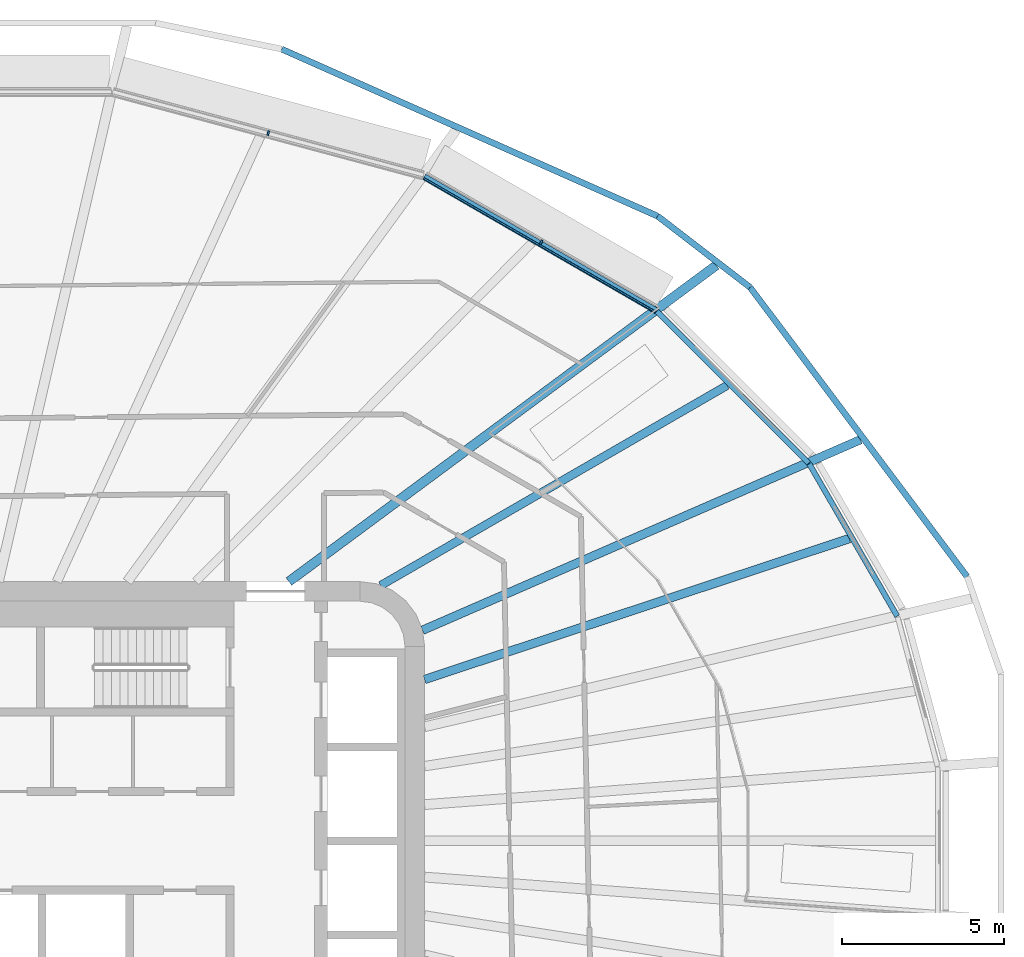
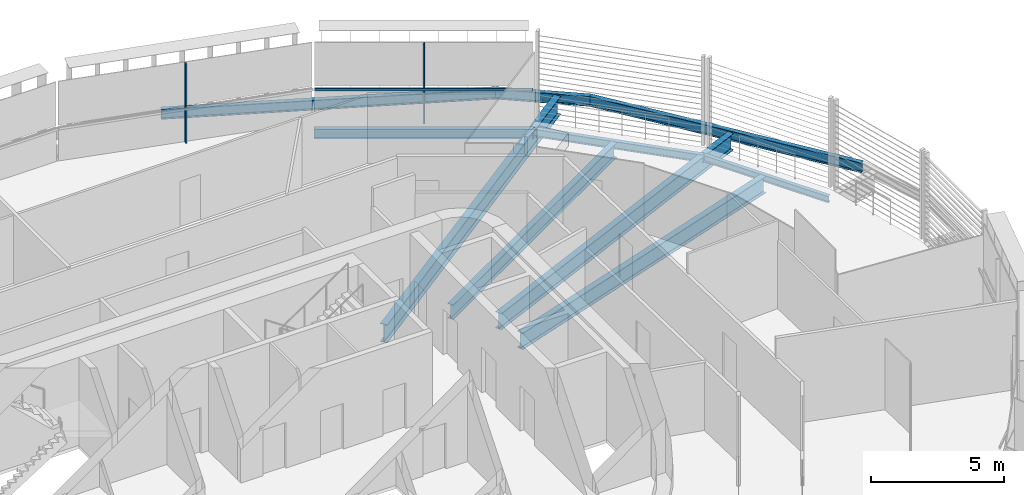
# One storey, part 9 of 24: 10 beams, 3 members, 2 elements without a shape of their own.
"""IFC4 building model written with IfcOpenShell, lengths in metres."""

from ifc_helpers import new_model, si_unit, direction, frame, origin, origin_2d, place, context, subcontext, project, spatial, rectangle, i_section, extrude, material, layer, layer_set, material_profile, profile_set, type_object, element, aggregate, save


model = new_model("IFC4")

# Units and contexts
model_context = context("Model", 3, precision=1e-05, world=origin(), true_north=direction((0.0, 1.0)))
body_context = subcontext(model_context, "Body", "Model", "MODEL_VIEW")
ifc_project = project(units=[si_unit("LENGTHUNIT", "METRE"), si_unit("AREAUNIT", "SQUARE_METRE"), si_unit("VOLUMEUNIT", "CUBIC_METRE"), si_unit("PLANEANGLEUNIT", "RADIAN"), si_unit("MASSUNIT", "GRAM", prefix="KILO")], contexts=[model_context])

# Site, building, storey
site_placement = place(None, origin())
site = spatial("IfcSite", under=ifc_project, at=site_placement, CompositionType="ELEMENT")
building_placement = place(site_placement, origin())
building = spatial("IfcBuilding", under=site, at=building_placement, Name="Sahrelin Media Tower", CompositionType="ELEMENT")
storey_placement = place(building_placement, frame((0.0, 0.0, 67.199951171875)))
storey = spatial("IfcBuildingStorey", under=building, at=storey_placement, Name="L11", CompositionType="ELEMENT", Elevation=67.199951171875)

# Beams
ifc_material_1 = material(Name="Steel S355", Category="steel")
ifc_material_profile_1 = material_profile(ifc_material_1, i_section(OverallWidth=0.1650390625, OverallDepth=0.303466796875, WebThickness=0.006103515625, FlangeThickness=0.01025390625, FilletRadius=0.0087890625, at=origin_2d()), Name="UB 305x165x40")
ifc_profile_set_1 = profile_set([ifc_material_profile_1], Name="Steel S355")
beam_type_1 = type_object("IfcBeamType", Name="Edge beam EB2", PredefinedType="BEAM", material=ifc_profile_set_1)
beam_1_placement = place(storey_placement, frame((26.8671875, 11.633056640625, -0.3515625), z_axis=(0.500016918453, -0.866015635691, 0.0), x_axis=(0.866015635691, 0.500016918453, 0.0)))
element("IfcBeam", 1, at=beam_1_placement, inside=storey, type_object=beam_type_1, Name="Edge beam L11-23", PredefinedType="BEAM", context=body_context, shape_type="SweptSolid", body=[
    extrude(i_section(OverallWidth=0.1650390625, OverallDepth=0.303466796875, WebThickness=0.006103515625, FlangeThickness=0.01025390625, FilletRadius=0.0087890625, at=origin_2d()), origin(), (0.0, 0.0, 1.0), 5.430419921875),
])
ifc_material_profile_2 = material_profile(ifc_material_1, i_section(OverallWidth=0.17138671875, OverallDepth=0.35498046875, WebThickness=0.00732421875, FlangeThickness=0.011474609375, FilletRadius=0.01025390625, at=origin_2d()), Name="UB 356x171x51")
ifc_profile_set_2 = profile_set([ifc_material_profile_2], Name="Steel S355")
beam_type_2 = type_object("IfcBeamType", Name="Edge beam EB3", PredefinedType="BEAM", material=ifc_profile_set_2)
beam_2_placement = place(storey_placement, frame((22.1708984375, 16.334716796875, -0.37744140625), z_axis=(0.707106781187, -0.707106781187, 0.0), x_axis=(0.707106781187, 0.707106781187, 0.0)))
element("IfcBeam", 2, at=beam_2_placement, inside=storey, type_object=beam_type_2, Name="Edge beam L11-22", PredefinedType="BEAM", context=body_context, shape_type="SweptSolid", body=[
    extrude(i_section(OverallWidth=0.17138671875, OverallDepth=0.35498046875, WebThickness=0.00732421875, FlangeThickness=0.011474609375, FilletRadius=0.01025390625, at=origin_2d()), origin(), (0.0, 0.0, 1.0), 6.61669921875),
])
ifc_material_profile_3 = material_profile(ifc_material_1, i_section(OverallWidth=0.1904296875, OverallDepth=0.45703125, WebThickness=0.009033203125, FlangeThickness=0.014404296875, FilletRadius=0.01025390625, at=origin_2d()), Name="UB 457x191x74")
ifc_profile_set_3 = profile_set([ifc_material_profile_3], Name="Steel S355")
beam_type_3 = type_object("IfcBeamType", Name="Edge beam EB5", PredefinedType="BEAM", material=ifc_profile_set_3)
beam_3_placement = place(storey_placement, frame((14.9853515625, 20.48779296875, -0.428466796875), z_axis=(0.866016484387, -0.500015448532, 0.0), x_axis=(0.500015448532, 0.866016484387, 0.0)))
element("IfcBeam", 3, at=beam_3_placement, inside=storey, type_object=beam_type_3, Name="Edge beam L11-21", PredefinedType="BEAM", context=body_context, shape_type="SweptSolid", body=[
    extrude(i_section(OverallWidth=0.1904296875, OverallDepth=0.45703125, WebThickness=0.009033203125, FlangeThickness=0.014404296875, FilletRadius=0.01025390625, at=origin_2d()), origin(), (0.0, 0.0, 1.0), 8.270751953125),
])

# Curtain wall, member
ifc_material_2 = material(Name="Champagne anodised aluminium 6063-T6", Category="aluminium")
ifc_layer = layer(ifc_material_2, 0.14990234375)
ifc_layer_set = layer_set([ifc_layer], Name="Tower ribbon curtain wall")
curtain_wall_type = type_object("IfcCurtainWallType", Name="Tower ribbon curtain wall", PredefinedType="NOTDEFINED", material=ifc_layer_set)
curtain_wall_1_placement = place(storey_placement, frame((18.6416015625, 18.5498046875, 0.0), z_axis=(0.0, 0.0, 1.0), x_axis=(1.0, 0.0, 0.0)))
curtain_wall_1 = element("IfcCurtainWall", 4, at=curtain_wall_1_placement, inside=storey, type_object=curtain_wall_type, Name="L11:CW:L11-04", PredefinedType="NOTDEFINED")
ifc_material_profile_4 = material_profile(ifc_material_2, rectangle(XDim=0.06005859375, YDim=0.14990234375, at=origin_2d()), Name="Mullion 60x150")
ifc_profile_set_4 = profile_set([ifc_material_profile_4], Name="Champagne anodised aluminium 6063-T6")
member_type_1 = type_object("IfcMemberType", Name="Mullion 60x150 CW1", PredefinedType="MULLION", material=ifc_profile_set_4)
member_1_placement = place(storey_placement, frame((18.593994140625, 18.4677734375, 0.0), z_axis=(0.0, 0.0, 1.0), x_axis=(-0.866024531118, 0.500001511499, 0.0)))
member_1 = element("IfcMember", 5, at=member_1_placement, type_object=member_type_1, Name="L11:CWM:L11-04", PredefinedType="MULLION", context=body_context, shape_type="SweptSolid", body=[
    extrude(rectangle(XDim=0.06005859375, YDim=0.14990234375, at=origin_2d()), origin(), (0.0, 0.0, 1.0), 3.648681640625),
])

curtain_wall_2_placement = place(storey_placement, frame((10.200439453125, 21.928955078125, 0.0), z_axis=(0.0, 0.0, 1.0), x_axis=(1.0, 0.0, 0.0)))
curtain_wall_2 = element("IfcCurtainWall", 6, at=curtain_wall_2_placement, inside=storey, type_object=curtain_wall_type, Name="L11:CW:L11-05", PredefinedType="NOTDEFINED")
member_2_placement = place(storey_placement, frame((10.17578125, 21.837158203125, 0.0), z_axis=(0.0, 0.0, 1.0), x_axis=(-0.965926729732, 0.258815673384, 0.0)))
member_2 = element("IfcMember", 7, at=member_2_placement, type_object=member_type_1, Name="L11:CWM:L11-05", PredefinedType="MULLION", context=body_context, shape_type="SweptSolid", body=[
    extrude(rectangle(XDim=0.06005859375, YDim=0.14990234375, at=origin_2d()), origin(), (0.0, 0.0, 1.0), 3.648681640625),
])
aggregate(curtain_wall_2, [member_2])

# Beams
ifc_material_profile_5 = material_profile(ifc_material_1, i_section(OverallWidth=0.291748046875, OverallDepth=0.8349609375, WebThickness=0.013916015625, FlangeThickness=0.018798828125, FilletRadius=0.017822265625, at=origin_2d()), Name="UB 838x292x176")
ifc_profile_set_5 = profile_set([ifc_material_profile_5], Name="Steel S355")
beam_type_4 = type_object("IfcBeamType", Name="Radial primary beam PB10", PredefinedType="BEAM", material=ifc_profile_set_5)
beam_4_placement = place(storey_placement, frame((10.81201171875, 8.0, -0.617431640625), z_axis=(0.803875478247, 0.594797625646, 0.0), x_axis=(-0.594797625646, 0.803875478247, 0.0)))
element("IfcBeam", 8, at=beam_4_placement, inside=storey, type_object=beam_type_4, Name="Radial beam L11-04", PredefinedType="BEAM", context=body_context, shape_type="SweptSolid", body=[
    extrude(i_section(OverallWidth=0.291748046875, OverallDepth=0.8349609375, WebThickness=0.013916015625, FlangeThickness=0.018798828125, FilletRadius=0.017822265625, at=origin_2d()), origin(), (0.0, 0.0, 1.0), 16.408447265625),
])
ifc_material_profile_6 = material_profile(ifc_material_1, i_section(OverallWidth=0.26513671875, OverallDepth=0.75390625, WebThickness=0.0126953125, FlangeThickness=0.017578125, FilletRadius=0.0166015625, at=origin_2d()), Name="UB 762x267x147")
ifc_profile_set_6 = profile_set([ifc_material_profile_6], Name="Steel S355")
beam_type_5 = type_object("IfcBeamType", Name="Radial primary beam PB9", PredefinedType="BEAM", material=ifc_profile_set_6)
beam_5_placement = place(storey_placement, frame((14.9345703125, 6.497314453125, -0.576904296875), z_axis=(0.916976546495, 0.398941114926, 0.0), x_axis=(-0.398941114926, 0.916976546495, 0.0)))
element("IfcBeam", 9, at=beam_5_placement, inside=storey, type_object=beam_type_5, Name="Radial beam L11-03", PredefinedType="BEAM", context=body_context, shape_type="SweptSolid", body=[
    extrude(i_section(OverallWidth=0.26513671875, OverallDepth=0.75390625, WebThickness=0.0126953125, FlangeThickness=0.017578125, FilletRadius=0.0166015625, at=origin_2d()), origin(), (0.0, 0.0, 1.0), 14.7392578125),
])
ifc_material_profile_7 = material_profile(ifc_material_1, i_section(OverallWidth=0.2529296875, OverallDepth=0.677978515625, WebThickness=0.01171875, FlangeThickness=0.01611328125, FilletRadius=0.01513671875, at=origin_2d()), Name="UB 686x254x125")
ifc_profile_set_7 = profile_set([ifc_material_profile_7], Name="Steel S355")
beam_type_6 = type_object("IfcBeamType", Name="Radial secondary beam SB8", PredefinedType="BEAM", material=ifc_profile_set_7)
beam_6_placement = place(storey_placement, frame((13.64453125, 7.87939453125, -0.538818359375), z_axis=(0.865985956665, 0.500068318192, 0.0), x_axis=(-0.500068318192, 0.865985956665, 0.0)))
element("IfcBeam", 10, at=beam_6_placement, inside=storey, type_object=beam_type_6, Name="Secondary beam L11-03", PredefinedType="BEAM", context=body_context, shape_type="SweptSolid", body=[
    extrude(i_section(OverallWidth=0.2529296875, OverallDepth=0.677978515625, WebThickness=0.01171875, FlangeThickness=0.01611328125, FilletRadius=0.01513671875, at=origin_2d()), origin(), (0.0, 0.0, 1.0), 12.342529296875),
])
ifc_material_profile_8 = material_profile(ifc_material_1, i_section(OverallWidth=0.26513671875, OverallDepth=0.75390625, WebThickness=0.0126953125, FlangeThickness=0.017578125, FilletRadius=0.0166015625, at=origin_2d()), Name="UB 762x267x147")
ifc_profile_set_8 = profile_set([ifc_material_profile_8], Name="Steel S355")
beam_type_7 = type_object("IfcBeamType", Name="Radial secondary beam SB9", PredefinedType="BEAM", material=ifc_profile_set_8)
beam_7_placement = place(storey_placement, frame((15.0, 4.977783203125, -0.576904296875), z_axis=(0.949108592973, 0.314949009752, 0.0), x_axis=(-0.314949009752, 0.949108592973, 0.0)))
element("IfcBeam", 11, at=beam_7_placement, inside=storey, type_object=beam_type_7, Name="Secondary beam L11-02", PredefinedType="BEAM", context=body_context, shape_type="SweptSolid", body=[
    extrude(i_section(OverallWidth=0.26513671875, OverallDepth=0.75390625, WebThickness=0.0126953125, FlangeThickness=0.017578125, FilletRadius=0.0166015625, at=origin_2d()), origin(), (0.0, 0.0, 1.0), 13.806640625),
])
ifc_material_profile_9 = material_profile(ifc_material_1, i_section(OverallWidth=0.1904296875, OverallDepth=0.45703125, WebThickness=0.009033203125, FlangeThickness=0.014404296875, FilletRadius=0.01025390625, at=origin_2d()), Name="UB 457x191x74")
ifc_profile_set_9 = profile_set([ifc_material_profile_9], Name="Steel S355")
beam_type_8 = type_object("IfcBeamType", Name="Tie chord TC5", PredefinedType="BEAM", material=ifc_profile_set_9)
beam_8_placement = place(storey_placement, frame((31.73828125, 8.152587890625, -0.37841796875), z_axis=(-0.600059505481, 0.799955367431, 0.0), x_axis=(-0.799955367431, -0.600059505481, 0.0)))
element("IfcBeam", 12, at=beam_8_placement, inside=storey, type_object=beam_type_8, Name="Tie chord L11-02", PredefinedType="BEAM", context=body_context, shape_type="SweptSolid", body=[
    extrude(i_section(OverallWidth=0.1904296875, OverallDepth=0.45703125, WebThickness=0.009033203125, FlangeThickness=0.014404296875, FilletRadius=0.01025390625, at=origin_2d()), origin(), (0.0, 0.0, 1.0), 11.159423828125),
])
beam_9_placement = place(storey_placement, frame((25.0419921875, 17.07958984375, -0.37841796875), z_axis=(-0.792407061468, 0.609992663018, 0.0), x_axis=(-0.609992663018, -0.792407061468, 0.0)))
element("IfcBeam", 13, at=beam_9_placement, inside=storey, type_object=beam_type_8, Name="Tie chord L11-03", PredefinedType="BEAM", context=body_context, shape_type="SweptSolid", body=[
    extrude(i_section(OverallWidth=0.1904296875, OverallDepth=0.45703125, WebThickness=0.009033203125, FlangeThickness=0.014404296875, FilletRadius=0.01025390625, at=origin_2d()), origin(), (0.0, 0.0, 1.0), 3.598876953125),
])
beam_10_placement = place(storey_placement, frame((22.190185546875, 19.27490234375, -0.37841796875), z_axis=(-0.913834550776, 0.406086707252, 0.0), x_axis=(-0.406086707252, -0.913834550776, 0.0)))
element("IfcBeam", 14, at=beam_10_placement, inside=storey, type_object=beam_type_8, Name="Tie chord L11-04", PredefinedType="BEAM", context=body_context, shape_type="SweptSolid", body=[
    extrude(i_section(OverallWidth=0.1904296875, OverallDepth=0.45703125, WebThickness=0.009033203125, FlangeThickness=0.014404296875, FilletRadius=0.01025390625, at=origin_2d()), origin(), (0.0, 0.0, 1.0), 12.69189453125),
])

# Member
ifc_material_profile_10 = material_profile(ifc_material_2, rectangle(XDim=0.050048828125, YDim=0.10009765625, at=origin_2d()), Name="Transom 50x100")
ifc_profile_set_10 = profile_set([ifc_material_profile_10], Name="Champagne anodised aluminium 6063-T6")
member_type_2 = type_object("IfcMemberType", Name="Transom 50x100 CW1", PredefinedType="USERDEFINED", material=ifc_profile_set_10)
member_3_placement = place(storey_placement, frame((22.11181640625, 16.3212890625, 1.60009765625), z_axis=(-0.866028179265, 0.499995192696, 0.0), x_axis=(-0.499995192696, -0.866028179265, 0.0)))
member_3 = element("IfcMember", 15, at=member_3_placement, type_object=member_type_2, Name="L11:CWT:L11-04", ObjectType="TRANSOM", PredefinedType="USERDEFINED", context=body_context, shape_type="SweptSolid", body=[
    extrude(rectangle(XDim=0.050048828125, YDim=0.10009765625, at=origin_2d()), origin(), (0.0, 0.0, 1.0), 8.2392578125),
])

aggregate(curtain_wall_1, [member_1, member_3])

save(model, "model.ifc")
